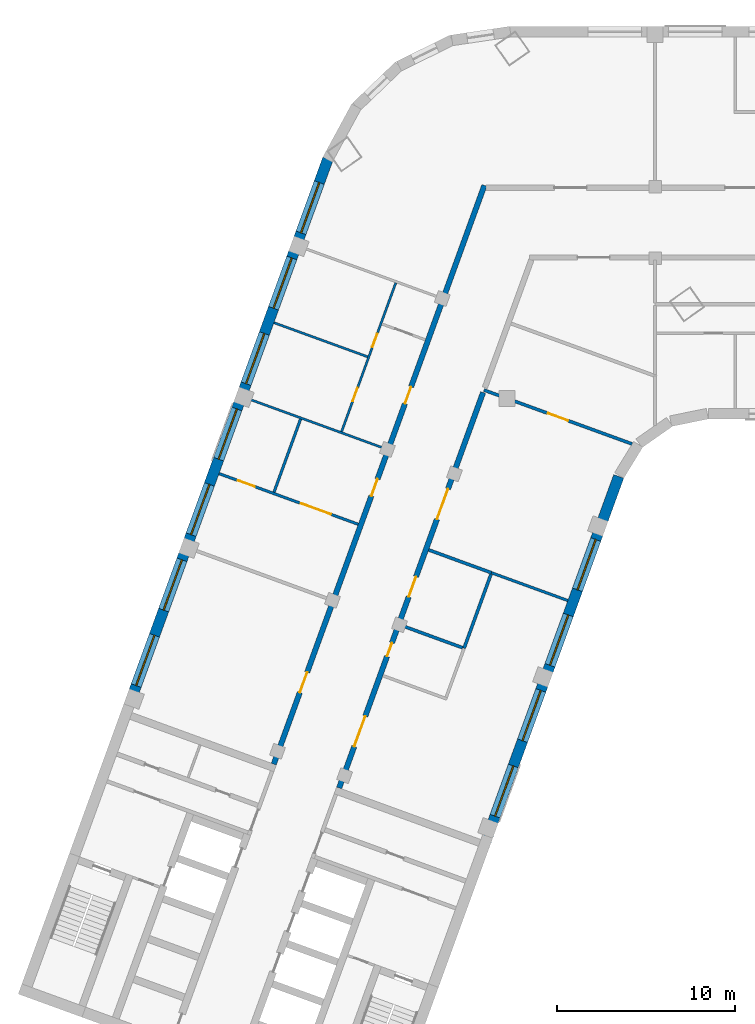
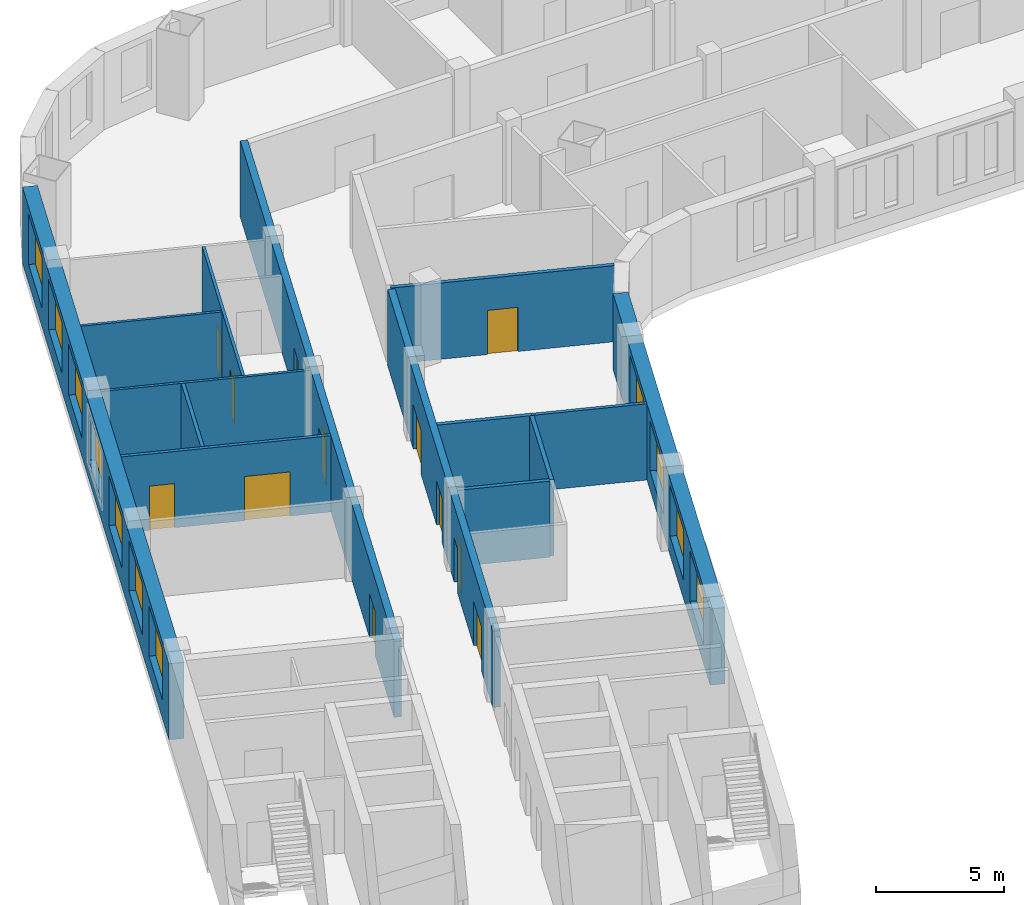
# One storey, part 3 of 12: 14 walls, 12 doors, 11 windows, 23 openings.
"""IFC4 building model written with IfcOpenShell, lengths in metres."""

from ifc_helpers import new_model, si_unit, direction, frame, frame_2d, origin, place, context, subcontext, project, spatial, rectangle, extrude, material, layer, layer_set, type_object, element, fill, save


model = new_model("IFC4")

# Units and contexts
model_context = context("Model", 3, precision=1e-05, world=origin(), true_north=direction((0.0, 1.0)))
body_context = subcontext(model_context, "Body", "Model", "MODEL_VIEW")
ifc_project = project(units=[si_unit("LENGTHUNIT", "METRE"), si_unit("AREAUNIT", "SQUARE_METRE"), si_unit("VOLUMEUNIT", "CUBIC_METRE"), si_unit("PLANEANGLEUNIT", "RADIAN"), si_unit("MASSUNIT", "GRAM", prefix="KILO")], contexts=[model_context])

# Site, building, storey
site_placement = place(None, origin())
site = spatial("IfcSite", under=ifc_project, at=site_placement, CompositionType="ELEMENT")
building_placement = place(site_placement, origin())
building = spatial("IfcBuilding", under=site, at=building_placement, Name="Skarvind Civic Tower", CompositionType="ELEMENT")
storey_placement = place(building_placement, frame((0.0, 0.0, 39.5)))
storey = spatial("IfcBuildingStorey", under=building, at=storey_placement, Name="L08", CompositionType="ELEMENT", Elevation=39.5)

# Walls
ifc_material_1 = material(Name="Acoustic gypsum board on steel studs", Category="steel")
ifc_layer_1 = layer(ifc_material_1, 0.175048828125)
ifc_layer_set_1 = layer_set([ifc_layer_1], Name="ACOUSTIC MEETING-ROOM PARTITION 175")
wall_type_1 = type_object("IfcWallType", Name="ACOUSTIC MEETING-ROOM PARTITION 175", PredefinedType="PARTITIONING", material=ifc_layer_set_1)
wall_1_placement = place(storey_placement, frame((41.56103515625, 109.6630859375, 0.0), z_axis=(0.0, 0.0, 1.0), x_axis=(0.939610777088, -0.34224492338, 0.0)))
element("IfcWall", 1, at=wall_1_placement, inside=storey, type_object=wall_type_1, Name="Partition 08.011", PredefinedType="PARTITIONING", context=body_context, shape_type="SweptSolid", body=[
    extrude(rectangle(XDim=3.749267578125, YDim=0.175048828125, at=frame_2d((1.87451171875, 0.0))), origin(), (0.0, 0.0, 1.0), 3.625),
])
wall_2_placement = place(storey_placement, frame((43.462890625, 104.180908203125, 0.0), z_axis=(0.0, 0.0, 1.0), x_axis=(-0.939655178262, 0.342122998299, 0.0)))
element("IfcWall", 2, at=wall_2_placement, inside=storey, type_object=wall_type_1, Name="Partition 08.014", PredefinedType="PARTITIONING", context=body_context, shape_type="SweptSolid", body=[
    extrude(rectangle(XDim=3.662841796875, YDim=0.175048828125, at=frame_2d((1.83154296875, 0.0))), origin(), (0.0, 0.0, 1.0), 3.625),
])

# Wall, opening, door
wall_3_placement = place(storey_placement, frame((52.965087890625, 115.597900390625, 0.0), z_axis=(0.0, 0.0, 1.0), x_axis=(-0.939650555598, 0.342135694374, 0.0)))
wall_3 = element("IfcWall", 3, at=wall_3_placement, inside=storey, type_object=wall_type_1, Name="Partition 08.017", PredefinedType="PARTITIONING", context=body_context, shape_type="SweptSolid", body=[
    extrude(rectangle(XDim=8.836181640625, YDim=0.175048828125, at=frame_2d((4.41796875, 0.0))), origin(), (0.0, 0.0, 1.0), 3.625),
])
opening_1_placement = place(wall_3_placement, frame((3.817626953125, 0.0, 0.0)))
opening_1 = element("IfcOpeningElement", 4, at=opening_1_placement, cuts=wall_3, Name="Opening L08-D026", PredefinedType="OPENING", context=body_context, shape_type="SweptSolid", body=[
    extrude(rectangle(XDim=1.199951171875, YDim=2.10009765625, at=frame_2d((0.60009765625, 1.050048828125))), frame((0.0, 0.097412109375, 0.0), z_axis=(0.0, -1.0, 0.0), x_axis=(1.0, 0.0, 0.0)), (0.0, 0.0, 1.0), 0.195068359375),
])
ifc_material_2 = material(Name="Timber door leaf", Category="wood")
door_type_1 = type_object("IfcDoorType", Name="DOOR 1200X2100 DOUBLE TIMBER", OperationType="NOTDEFINED", PredefinedType="DOOR", material=ifc_material_2)
door_1_placement = place(opening_1_placement, origin())
door_1 = element("IfcDoor", 5, at=door_1_placement, inside=storey, type_object=door_type_1, Name="Door L08-D026", OperationType="DOUBLE_DOOR_SINGLE_SWING", OverallHeight=2.10009765625, OverallWidth=1.199951171875, PredefinedType="DOOR", context=body_context, shape_type="SweptSolid", body=[
    extrude(rectangle(XDim=1.199951171875, YDim=2.10009765625, at=frame_2d((0.60009765625, 1.050048828125))), frame((0.0, 0.02490234375, 0.0), z_axis=(0.0, -1.0, 0.0), x_axis=(1.0, 0.0, 0.0)), (0.0, 0.0, 1.0), 0.050048828125),
])
fill(opening_1, door_1)

# Wall
wall_4_placement = place(storey_placement, frame((45.053955078125, 108.298095703125, 0.0), z_axis=(0.0, 0.0, 1.0), x_axis=(-0.34193405199, -0.939723951004, 0.0)))
element("IfcWall", 6, at=wall_4_placement, inside=storey, type_object=wall_type_1, Name="Partition 08.019", PredefinedType="PARTITIONING", context=body_context, shape_type="SweptSolid", body=[
    extrude(rectangle(XDim=4.413330078125, YDim=0.175048828125, at=frame_2d((2.20654296875, 0.0))), origin(), (0.0, 0.0, 1.0), 3.625),
])

# Wall, openings, doors
ifc_material_3 = material(Name="Fire-rated gypsum board on steel studs", Category="steel")
ifc_layer_2 = layer(ifc_material_3, 0.300048828125)
ifc_layer_set_2 = layer_set([ifc_layer_2], Name="CORRIDOR WALL 300")
wall_type_2 = type_object("IfcWallType", Name="CORRIDOR WALL 300", PredefinedType="PARTITIONING", material=ifc_layer_set_2)
wall_5_placement = place(storey_placement, frame((32.881103515625, 97.656982421875, 0.0), z_axis=(0.0, 0.0, 1.0), x_axis=(0.342017360004, 0.939693633828, 0.0)))
wall_5 = element("IfcWall", 7, at=wall_5_placement, inside=storey, type_object=wall_type_2, Name="Partition 08.004", PredefinedType="PARTITIONING", context=body_context, shape_type="SweptSolid", body=[
    extrude(rectangle(XDim=34.515625, YDim=0.300048828125, at=frame_2d((17.2578125, 0.0))), origin(), (0.0, 0.0, 1.0), 3.625),
])
opening_2_placement = place(wall_5_placement, frame((4.27490234375, 0.0, 0.0)))
opening_2 = element("IfcOpeningElement", 8, at=opening_2_placement, cuts=wall_5, Name="Opening L08-D011", PredefinedType="OPENING", context=body_context, shape_type="SweptSolid", body=[
    extrude(rectangle(XDim=1.199951171875, YDim=2.10009765625, at=frame_2d((0.60009765625, 1.050048828125))), frame((0.0, 0.159912109375, 0.0), z_axis=(0.0, -1.0, 0.0), x_axis=(1.0, 0.0, 0.0)), (0.0, 0.0, 1.0), 0.320068359375),
])
opening_3_placement = place(wall_5_placement, frame((16.0, 0.0, 0.0)))
opening_3 = element("IfcOpeningElement", 9, at=opening_3_placement, cuts=wall_5, Name="Opening L08-D012", PredefinedType="OPENING", context=body_context, shape_type="SweptSolid", body=[
    extrude(rectangle(XDim=1.0, YDim=2.10009765625, at=frame_2d((0.5, 1.050048828125))), frame((0.0, 0.159912109375, 0.0), z_axis=(0.0, -1.0, 0.0), x_axis=(1.0, 0.0, 0.0)), (0.0, 0.0, 1.0), 0.320068359375),
])
opening_4_placement = place(wall_5_placement, frame((21.499755859375, 0.0, 0.0)))
opening_4 = element("IfcOpeningElement", 10, at=opening_4_placement, cuts=wall_5, Name="Opening L08-D015", PredefinedType="OPENING", context=body_context, shape_type="SweptSolid", body=[
    extrude(rectangle(XDim=1.0, YDim=2.10009765625, at=frame_2d((0.5, 1.050048828125))), frame((0.0, 0.159912109375, 0.0), z_axis=(0.0, -1.0, 0.0), x_axis=(1.0, 0.0, 0.0)), (0.0, 0.0, 1.0), 0.320068359375),
])
ifc_material_4 = material(Name="Fire-rated timber door leaf", Category="wood")
door_type_2 = type_object("IfcDoorType", Name="FD1 1000x2100", OperationType="NOTDEFINED", PredefinedType="DOOR", material=ifc_material_4)
door_2_placement = place(opening_3_placement, origin())
door_2 = element("IfcDoor", 11, at=door_2_placement, inside=storey, type_object=door_type_2, Name="Door L08-D012", OperationType="SINGLE_SWING_LEFT", OverallHeight=2.10009765625, OverallWidth=1.0, PredefinedType="DOOR", context=body_context, shape_type="SweptSolid", body=[
    extrude(rectangle(XDim=1.0, YDim=2.10009765625, at=frame_2d((0.5, 1.050048828125))), frame((0.0, 0.02490234375, 0.0), z_axis=(0.0, -1.0, 0.0), x_axis=(1.0, 0.0, 0.0)), (0.0, 0.0, 1.0), 0.050048828125),
])
fill(opening_3, door_2)
door_3_placement = place(opening_4_placement, origin())
door_3 = element("IfcDoor", 12, at=door_3_placement, inside=storey, type_object=door_type_2, Name="Door L08-D015", OperationType="SINGLE_SWING_LEFT", OverallHeight=2.10009765625, OverallWidth=1.0, PredefinedType="DOOR", context=body_context, shape_type="SweptSolid", body=[
    extrude(rectangle(XDim=1.0, YDim=2.10009765625, at=frame_2d((0.5, 1.050048828125))), frame((0.0, 0.02490234375, 0.0), z_axis=(0.0, -1.0, 0.0), x_axis=(1.0, 0.0, 0.0)), (0.0, 0.0, 1.0), 0.050048828125),
])
fill(opening_4, door_3)
door_type_3 = type_object("IfcDoorType", Name="FD6 1200x2100 DOUBLE", OperationType="NOTDEFINED", PredefinedType="DOOR", material=ifc_material_4)
door_4_placement = place(opening_2_placement, origin())
door_4 = element("IfcDoor", 13, at=door_4_placement, inside=storey, type_object=door_type_3, Name="Door L08-D011", OperationType="DOUBLE_DOOR_SINGLE_SWING", OverallHeight=2.10009765625, OverallWidth=1.199951171875, PredefinedType="DOOR", context=body_context, shape_type="SweptSolid", body=[
    extrude(rectangle(XDim=1.199951171875, YDim=2.10009765625, at=frame_2d((0.60009765625, 1.050048828125))), frame((0.0, 0.02490234375, 0.0), z_axis=(0.0, -1.0, 0.0), x_axis=(1.0, 0.0, 0.0)), (0.0, 0.0, 1.0), 0.050048828125),
])
fill(opening_2, door_4)

wall_6_placement = place(storey_placement, frame((44.612060546875, 118.48291015625, 0.0), z_axis=(0.0, 0.0, 1.0), x_axis=(-0.342043123066, -0.939684256526, 0.0)))
wall_6 = element("IfcWall", 14, at=wall_6_placement, inside=storey, type_object=wall_type_2, Name="Partition 08.018", PredefinedType="PARTITIONING", context=body_context, shape_type="SweptSolid", body=[
    extrude(rectangle(XDim=23.582275390625, YDim=0.300048828125, at=frame_2d((11.791015625, 0.0))), origin(), (0.0, 0.0, 1.0), 3.625),
])
opening_5_placement = place(wall_6_placement, frame((14.932373046875, 0.0, 0.0)))
opening_5 = element("IfcOpeningElement", 15, at=opening_5_placement, cuts=wall_6, Name="Opening L08-D019", PredefinedType="OPENING", context=body_context, shape_type="SweptSolid", body=[
    extrude(rectangle(XDim=0.800048828125, YDim=2.10009765625, at=frame_2d((0.39990234375, 1.050048828125))), frame((0.0, 0.159912109375, 0.0), z_axis=(0.0, -1.0, 0.0), x_axis=(1.0, 0.0, 0.0)), (0.0, 0.0, 1.0), 0.320068359375),
])
opening_6_placement = place(wall_6_placement, frame((10.982177734375, 0.0, 0.0)))
opening_6 = element("IfcOpeningElement", 16, at=opening_6_placement, cuts=wall_6, Name="Opening L08-D020", PredefinedType="OPENING", context=body_context, shape_type="SweptSolid", body=[
    extrude(rectangle(XDim=1.199951171875, YDim=2.10009765625, at=frame_2d((0.60009765625, 1.050048828125))), frame((0.0, 0.159912109375, 0.0), z_axis=(0.0, -1.0, 0.0), x_axis=(1.0, 0.0, 0.0)), (0.0, 0.0, 1.0), 0.320068359375),
])
opening_7_placement = place(wall_6_placement, frame((19.307373046875, 0.0, 0.0)))
opening_7 = element("IfcOpeningElement", 17, at=opening_7_placement, cuts=wall_6, Name="Opening L08-D021", PredefinedType="OPENING", context=body_context, shape_type="SweptSolid", body=[
    extrude(rectangle(XDim=1.800048828125, YDim=2.10009765625, at=frame_2d((0.89990234375, 1.050048828125))), frame((0.0, 0.159912109375, 0.0), z_axis=(0.0, -1.0, 0.0), x_axis=(1.0, 0.0, 0.0)), (0.0, 0.0, 1.0), 0.320068359375),
])
opening_8_placement = place(wall_6_placement, frame((5.755859375, 0.0, 0.0)))
opening_8 = element("IfcOpeningElement", 18, at=opening_8_placement, cuts=wall_6, Name="Opening L08-D022", PredefinedType="OPENING", context=body_context, shape_type="SweptSolid", body=[
    extrude(rectangle(XDim=1.800048828125, YDim=2.10009765625, at=frame_2d((0.89990234375, 1.050048828125))), frame((0.0, 0.159912109375, 0.0), z_axis=(0.0, -1.0, 0.0), x_axis=(1.0, 0.0, 0.0)), (0.0, 0.0, 1.0), 0.320068359375),
])
door_type_4 = type_object("IfcDoorType", Name="FD4 1800x2100", OperationType="NOTDEFINED", PredefinedType="DOOR", material=ifc_material_4)
door_5_placement = place(opening_7_placement, origin())
door_5 = element("IfcDoor", 19, at=door_5_placement, inside=storey, type_object=door_type_4, Name="Door L08-D021", OperationType="DOUBLE_DOOR_SINGLE_SWING", OverallHeight=2.10009765625, OverallWidth=1.800048828125, PredefinedType="DOOR", context=body_context, shape_type="SweptSolid", body=[
    extrude(rectangle(XDim=1.800048828125, YDim=2.10009765625, at=frame_2d((0.89990234375, 1.050048828125))), frame((0.0, 0.02490234375, 0.0), z_axis=(0.0, -1.0, 0.0), x_axis=(1.0, 0.0, 0.0)), (0.0, 0.0, 1.0), 0.050048828125),
])
fill(opening_7, door_5)
door_6_placement = place(opening_8_placement, origin())
door_6 = element("IfcDoor", 20, at=door_6_placement, inside=storey, type_object=door_type_4, Name="Door L08-D022", OperationType="DOUBLE_DOOR_SINGLE_SWING", OverallHeight=2.10009765625, OverallWidth=1.800048828125, PredefinedType="DOOR", context=body_context, shape_type="SweptSolid", body=[
    extrude(rectangle(XDim=1.800048828125, YDim=2.10009765625, at=frame_2d((0.89990234375, 1.050048828125))), frame((0.0, 0.02490234375, 0.0), z_axis=(0.0, -1.0, 0.0), x_axis=(1.0, 0.0, 0.0)), (0.0, 0.0, 1.0), 0.050048828125),
])
fill(opening_8, door_6)
door_type_5 = type_object("IfcDoorType", Name="FD5 800x2100", OperationType="NOTDEFINED", PredefinedType="DOOR", material=ifc_material_4)
door_7_placement = place(opening_5_placement, origin())
door_7 = element("IfcDoor", 21, at=door_7_placement, inside=storey, type_object=door_type_5, Name="Door L08-D019", OperationType="SINGLE_SWING_LEFT", OverallHeight=2.10009765625, OverallWidth=0.800048828125, PredefinedType="DOOR", context=body_context, shape_type="SweptSolid", body=[
    extrude(rectangle(XDim=0.800048828125, YDim=2.10009765625, at=frame_2d((0.39990234375, 1.050048828125))), frame((0.0, 0.02490234375, 0.0), z_axis=(0.0, -1.0, 0.0), x_axis=(1.0, 0.0, 0.0)), (0.0, 0.0, 1.0), 0.050048828125),
])
fill(opening_5, door_7)
door_8_placement = place(opening_6_placement, origin())
door_8 = element("IfcDoor", 22, at=door_8_placement, inside=storey, type_object=door_type_3, Name="Door L08-D020", OperationType="DOUBLE_DOOR_SINGLE_SWING", OverallHeight=2.10009765625, OverallWidth=1.199951171875, PredefinedType="DOOR", context=body_context, shape_type="SweptSolid", body=[
    extrude(rectangle(XDim=1.199951171875, YDim=2.10009765625, at=frame_2d((0.60009765625, 1.050048828125))), frame((0.0, 0.02490234375, 0.0), z_axis=(0.0, -1.0, 0.0), x_axis=(1.0, 0.0, 0.0)), (0.0, 0.0, 1.0), 0.050048828125),
])
fill(opening_6, door_8)

ifc_material_5 = material(Name="Plasterboard partition on steel studs", Category="steel")
ifc_layer_3 = layer(ifc_material_5, 0.14990234375)
ifc_layer_set_3 = layer_set([ifc_layer_3], Name="PARTITION 150")
wall_type_3 = type_object("IfcWallType", Name="PARTITION 150", PredefinedType="PARTITIONING", material=ifc_layer_set_3)
wall_7_placement = place(storey_placement, frame((29.81396484375, 113.93798828125, 0.0), z_axis=(0.0, 0.0, 1.0), x_axis=(0.939697205528, -0.342007546586, 0.0)))
wall_7 = element("IfcWall", 23, at=wall_7_placement, inside=storey, type_object=wall_type_3, Name="Partition 08.002", PredefinedType="PARTITIONING", context=body_context, shape_type="SweptSolid", body=[
    extrude(rectangle(XDim=8.300537109375, YDim=0.14990234375, at=frame_2d((4.150390625, 0.0))), origin(), (0.0, 0.0, 1.0), 3.625),
])
opening_9_placement = place(wall_7_placement, frame((1.125, 0.0, 0.0)))
opening_9 = element("IfcOpeningElement", 24, at=opening_9_placement, cuts=wall_7, Name="Opening L08-D013", PredefinedType="OPENING", context=body_context, shape_type="SweptSolid", body=[
    extrude(rectangle(XDim=1.0, YDim=2.10009765625, at=frame_2d((0.5, 1.050048828125))), frame((0.0, 0.0849609375, 0.0), z_axis=(0.0, -1.0, 0.0), x_axis=(1.0, 0.0, 0.0)), (0.0, 0.0, 1.0), 0.169921875),
])
opening_10_placement = place(wall_7_placement, frame((4.884033203125, 0.0, 0.0)))
opening_10 = element("IfcOpeningElement", 25, at=opening_10_placement, cuts=wall_7, Name="Opening L08-D014", PredefinedType="OPENING", context=body_context, shape_type="SweptSolid", body=[
    extrude(rectangle(XDim=1.800048828125, YDim=2.10009765625, at=frame_2d((0.89990234375, 1.050048828125))), frame((0.0, 0.0849609375, 0.0), z_axis=(0.0, -1.0, 0.0), x_axis=(1.0, 0.0, 0.0)), (0.0, 0.0, 1.0), 0.169921875),
])
door_type_6 = type_object("IfcDoorType", Name="D1 1000x2100", OperationType="NOTDEFINED", PredefinedType="DOOR", material=ifc_material_2)
door_9_placement = place(opening_9_placement, origin())
door_9 = element("IfcDoor", 26, at=door_9_placement, inside=storey, type_object=door_type_6, Name="Door L08-D013", OperationType="SINGLE_SWING_RIGHT", OverallHeight=2.10009765625, OverallWidth=1.0, PredefinedType="DOOR", context=body_context, shape_type="SweptSolid", body=[
    extrude(rectangle(XDim=1.0, YDim=2.10009765625, at=frame_2d((0.5, 1.050048828125))), frame((0.0, 0.02490234375, 0.0), z_axis=(0.0, -1.0, 0.0), x_axis=(1.0, 0.0, 0.0)), (0.0, 0.0, 1.0), 0.050048828125),
])
fill(opening_9, door_9)
door_type_7 = type_object("IfcDoorType", Name="D4 1800x2100", OperationType="NOTDEFINED", PredefinedType="DOOR", material=ifc_material_2)
door_10_placement = place(opening_10_placement, origin())
door_10 = element("IfcDoor", 27, at=door_10_placement, inside=storey, type_object=door_type_7, Name="Door L08-D014", OperationType="DOUBLE_DOOR_SINGLE_SWING", OverallHeight=2.10009765625, OverallWidth=1.800048828125, PredefinedType="DOOR", context=body_context, shape_type="SweptSolid", body=[
    extrude(rectangle(XDim=1.800048828125, YDim=2.10009765625, at=frame_2d((0.89990234375, 1.050048828125))), frame((0.0, 0.02490234375, 0.0), z_axis=(0.0, -1.0, 0.0), x_axis=(1.0, 0.0, 0.0)), (0.0, 0.0, 1.0), 0.050048828125),
])
fill(opening_10, door_10)

# Walls
wall_8_placement = place(storey_placement, frame((34.385986328125, 116.99609375, 0.0), z_axis=(0.0, 0.0, 1.0), x_axis=(-0.341945230853, -0.939719883315, 0.0)))
element("IfcWall", 28, at=wall_8_placement, inside=storey, type_object=wall_type_3, Name="Partition 08.005", PredefinedType="PARTITIONING", context=body_context, shape_type="SweptSolid", body=[
    extrude(rectangle(XDim=4.363037109375, YDim=0.14990234375, at=frame_2d((2.181640625, 0.0))), origin(), (0.0, 0.0, 1.0), 3.625),
])
wall_9_placement = place(storey_placement, frame((45.083984375, 108.3798828125, 0.0), z_axis=(0.0, 0.0, 1.0), x_axis=(0.93972604571, -0.341928295136, 0.0)))
element("IfcWall", 29, at=wall_9_placement, inside=storey, type_object=wall_type_3, Name="Partition 08.020", PredefinedType="PARTITIONING", context=body_context, shape_type="SweptSolid", body=[
    extrude(rectangle(XDim=4.55029296875, YDim=0.14990234375, at=frame_2d((2.275146484375, 0.0))), origin(), (0.0, 0.0, 1.0), 3.625),
])
ifc_material_6 = material(Name="Moisture-resistant gypsum board on steel studs", Category="steel")
ifc_layer_4 = layer(ifc_material_6, 0.125)
ifc_layer_set_4 = layer_set([ifc_layer_4], Name="WC PARTITION 125")
wall_type_4 = type_object("IfcWallType", Name="WC PARTITION 125", PredefinedType="PARTITIONING", material=ifc_layer_set_4)
wall_10_placement = place(storey_placement, frame((31.35302734375, 118.166015625, 0.0), z_axis=(0.0, 0.0, 1.0), x_axis=(0.939687752599, -0.342033518263, 0.0)))
element("IfcWall", 30, at=wall_10_placement, inside=storey, type_object=wall_type_4, Name="Partition 08.003", PredefinedType="PARTITIONING", context=body_context, shape_type="SweptSolid", body=[
    extrude(rectangle(XDim=8.30078125, YDim=0.125, at=frame_2d((4.150390625, 0.0))), origin(), (0.0, 0.0, 1.0), 3.625),
])

# Wall, openings, doors
wall_11_placement = place(storey_placement, frame((36.68408203125, 116.29296875, 0.0), z_axis=(0.0, 0.0, 1.0), x_axis=(0.342089829483, 0.939667254173, 0.0)))
wall_11 = element("IfcWall", 31, at=wall_11_placement, inside=storey, type_object=wall_type_4, Name="Partition 08.008", PredefinedType="PARTITIONING", context=body_context, shape_type="SweptSolid", body=[
    extrude(rectangle(XDim=8.87451171875, YDim=0.125, at=frame_2d((4.437255859375, 0.0))), origin(), (0.0, 0.0, 1.0), 3.625),
])
opening_11_placement = place(wall_11_placement, frame((1.808837890625, 0.0, 0.0)))
opening_11 = element("IfcOpeningElement", 32, at=opening_11_placement, cuts=wall_11, Name="Opening L08-D017", PredefinedType="OPENING", context=body_context, shape_type="SweptSolid", body=[
    extrude(rectangle(XDim=0.800048828125, YDim=2.10009765625, at=frame_2d((0.39990234375, 1.050048828125))), frame((0.0, 0.072509765625, 0.0), z_axis=(0.0, -1.0, 0.0), x_axis=(1.0, 0.0, 0.0)), (0.0, 0.0, 1.0), 0.14501953125),
])
opening_12_placement = place(wall_11_placement, frame((5.0390625, 0.0, 0.0)))
opening_12 = element("IfcOpeningElement", 33, at=opening_12_placement, cuts=wall_11, Name="Opening L08-D018", PredefinedType="OPENING", context=body_context, shape_type="SweptSolid", body=[
    extrude(rectangle(XDim=0.800048828125, YDim=2.10009765625, at=frame_2d((0.39990234375, 1.050048828125))), frame((0.0, 0.072509765625, 0.0), z_axis=(0.0, -1.0, 0.0), x_axis=(1.0, 0.0, 0.0)), (0.0, 0.0, 1.0), 0.14501953125),
])
door_type_8 = type_object("IfcDoorType", Name="DOOR 800X2100 TIMBER", OperationType="NOTDEFINED", PredefinedType="DOOR", material=ifc_material_2)
door_11_placement = place(opening_11_placement, origin())
door_11 = element("IfcDoor", 34, at=door_11_placement, inside=storey, type_object=door_type_8, Name="Door L08-D017", OperationType="SINGLE_SWING_RIGHT", OverallHeight=2.10009765625, OverallWidth=0.800048828125, PredefinedType="DOOR", context=body_context, shape_type="SweptSolid", body=[
    extrude(rectangle(XDim=0.800048828125, YDim=2.10009765625, at=frame_2d((0.39990234375, 1.050048828125))), frame((0.0, 0.02490234375, 0.0), z_axis=(0.0, -1.0, 0.0), x_axis=(1.0, 0.0, 0.0)), (0.0, 0.0, 1.0), 0.050048828125),
])
fill(opening_11, door_11)
door_12_placement = place(opening_12_placement, origin())
door_12 = element("IfcDoor", 35, at=door_12_placement, inside=storey, type_object=door_type_8, Name="Door L08-D018", OperationType="SINGLE_SWING_LEFT", OverallHeight=2.10009765625, OverallWidth=0.800048828125, PredefinedType="DOOR", context=body_context, shape_type="SweptSolid", body=[
    extrude(rectangle(XDim=0.800048828125, YDim=2.10009765625, at=frame_2d((0.39990234375, 1.050048828125))), frame((0.0, 0.02490234375, 0.0), z_axis=(0.0, -1.0, 0.0), x_axis=(1.0, 0.0, 0.0)), (0.0, 0.0, 1.0), 0.050048828125),
])
fill(opening_12, door_12)

# Wall
wall_12_placement = place(storey_placement, frame((38.14306640625, 120.48388671875, 0.0), z_axis=(0.0, 0.0, 1.0), x_axis=(-0.939696437289, 0.342009657388, 0.0)))
element("IfcWall", 36, at=wall_12_placement, inside=storey, type_object=wall_type_4, Name="Partition 08.009", PredefinedType="PARTITIONING", context=body_context, shape_type="SweptSolid", body=[
    extrude(rectangle(XDim=5.587890625, YDim=0.125, at=frame_2d((2.7939453125, 0.0))), origin(), (0.0, 0.0, 1.0), 3.625),
])

# Wall, openings, windows
ifc_material_7 = material(Name="Limestone masonry cladding on insulated backing", Category="masonry")
ifc_layer_5 = layer(ifc_material_7, 0.60009765625)
ifc_layer_set_5 = layer_set([ifc_layer_5], Name="WX1 STONE FACADE WALL 600")
wall_type_5 = type_object("IfcWallType", Name="WX1 STONE FACADE WALL 600", PredefinedType="SOLIDWALL", material=ifc_layer_set_5)
wall_13_placement = place(storey_placement, frame((52.212158203125, 113.78271484375, 0.0), z_axis=(0.0, 0.0, 1.0), x_axis=(-0.34202521188, -0.939690775968, 0.0)))
wall_13 = element("IfcWall", 37, at=wall_13_placement, inside=storey, type_object=wall_type_5, Name="STONE FACADE WALL", PredefinedType="SOLIDWALL", context=body_context, shape_type="SweptSolid", body=[
    extrude(rectangle(XDim=21.744873046875, YDim=0.60009765625, at=frame_2d((10.87255859375, 0.0))), origin(), (0.0, 0.0, 1.0), 3.625),
])
opening_13_placement = place(wall_13_placement, frame((3.764892578125, 0.0, 0.89990234375)))
opening_13 = element("IfcOpeningElement", 38, at=opening_13_placement, cuts=wall_13, Name="Opening WN1", PredefinedType="OPENING", context=body_context, shape_type="SweptSolid", body=[
    extrude(rectangle(XDim=3.0, YDim=2.39990234375, at=frame_2d((1.5, 1.199951171875))), frame((0.0, 0.31005859375, 0.0), z_axis=(0.0, -1.0, 0.0), x_axis=(1.0, 0.0, 0.0)), (0.0, 0.0, 1.0), 0.6201171875),
])
opening_14_placement = place(wall_13_placement, frame((8.264892578125, 0.0, 0.89990234375)))
opening_14 = element("IfcOpeningElement", 39, at=opening_14_placement, cuts=wall_13, Name="Opening WN1", PredefinedType="OPENING", context=body_context, shape_type="SweptSolid", body=[
    extrude(rectangle(XDim=3.0, YDim=2.39990234375, at=frame_2d((1.5, 1.199951171875))), frame((0.0, 0.31005859375, 0.0), z_axis=(0.0, -1.0, 0.0), x_axis=(1.0, 0.0, 0.0)), (0.0, 0.0, 1.0), 0.6201171875),
])
opening_15_placement = place(wall_13_placement, frame((12.764892578125, 0.0, 0.89990234375)))
opening_15 = element("IfcOpeningElement", 40, at=opening_15_placement, cuts=wall_13, Name="Opening WN1", PredefinedType="OPENING", context=body_context, shape_type="SweptSolid", body=[
    extrude(rectangle(XDim=3.0, YDim=2.39990234375, at=frame_2d((1.5, 1.199951171875))), frame((0.0, 0.31005859375, 0.0), z_axis=(0.0, -1.0, 0.0), x_axis=(1.0, 0.0, 0.0)), (0.0, 0.0, 1.0), 0.6201171875),
])
opening_16_placement = place(wall_13_placement, frame((17.264892578125, 0.0, 0.89990234375)))
opening_16 = element("IfcOpeningElement", 41, at=opening_16_placement, cuts=wall_13, Name="Opening WN1", PredefinedType="OPENING", context=body_context, shape_type="SweptSolid", body=[
    extrude(rectangle(XDim=3.0, YDim=2.39990234375, at=frame_2d((1.5, 1.199951171875))), frame((0.0, 0.31005859375, 0.0), z_axis=(0.0, -1.0, 0.0), x_axis=(1.0, 0.0, 0.0)), (0.0, 0.0, 1.0), 0.6201171875),
])
ifc_material_8 = material(Name="Timber frame, double glazing, timber-lined reveal", Category="wood")
window_type = type_object("IfcWindowType", Name="WN1 PUNCHED STONE WINDOW 3000 x 2400", PartitioningType="SINGLE_PANEL", PredefinedType="WINDOW", material=ifc_material_8)
window_1_placement = place(opening_13_placement, origin())
window_1 = element("IfcWindow", 42, at=window_1_placement, inside=storey, type_object=window_type, Name="WN1 WINDOW", OverallHeight=2.39990234375, OverallWidth=3.0, PartitioningType="SINGLE_PANEL", PredefinedType="WINDOW", context=body_context, shape_type="SweptSolid", body=[
    extrude(rectangle(XDim=3.0, YDim=2.39990234375, at=frame_2d((1.5, 1.199951171875))), frame((0.0, 0.030029296875, 0.0), z_axis=(0.0, -1.0, 0.0), x_axis=(1.0, 0.0, 0.0)), (0.0, 0.0, 1.0), 0.06005859375),
])
fill(opening_13, window_1)
window_2_placement = place(opening_14_placement, origin())
window_2 = element("IfcWindow", 43, at=window_2_placement, inside=storey, type_object=window_type, Name="WN1 WINDOW", OverallHeight=2.39990234375, OverallWidth=3.0, PartitioningType="SINGLE_PANEL", PredefinedType="WINDOW", context=body_context, shape_type="SweptSolid", body=[
    extrude(rectangle(XDim=3.0, YDim=2.39990234375, at=frame_2d((1.5, 1.199951171875))), frame((0.0, 0.030029296875, 0.0), z_axis=(0.0, -1.0, 0.0), x_axis=(1.0, 0.0, 0.0)), (0.0, 0.0, 1.0), 0.06005859375),
])
fill(opening_14, window_2)
window_3_placement = place(opening_15_placement, origin())
window_3 = element("IfcWindow", 44, at=window_3_placement, inside=storey, type_object=window_type, Name="WN1 WINDOW", OverallHeight=2.39990234375, OverallWidth=3.0, PartitioningType="SINGLE_PANEL", PredefinedType="WINDOW", context=body_context, shape_type="SweptSolid", body=[
    extrude(rectangle(XDim=3.0, YDim=2.39990234375, at=frame_2d((1.5, 1.199951171875))), frame((0.0, 0.030029296875, 0.0), z_axis=(0.0, -1.0, 0.0), x_axis=(1.0, 0.0, 0.0)), (0.0, 0.0, 1.0), 0.06005859375),
])
fill(opening_15, window_3)
window_4_placement = place(opening_16_placement, origin())
window_4 = element("IfcWindow", 45, at=window_4_placement, inside=storey, type_object=window_type, Name="WN1 WINDOW", OverallHeight=2.39990234375, OverallWidth=3.0, PartitioningType="SINGLE_PANEL", PredefinedType="WINDOW", context=body_context, shape_type="SweptSolid", body=[
    extrude(rectangle(XDim=3.0, YDim=2.39990234375, at=frame_2d((1.5, 1.199951171875))), frame((0.0, 0.030029296875, 0.0), z_axis=(0.0, -1.0, 0.0), x_axis=(1.0, 0.0, 0.0)), (0.0, 0.0, 1.0), 0.06005859375),
])
fill(opening_16, window_4)

wall_14_placement = place(storey_placement, frame((24.66552734375, 100.668701171875, 0.0), z_axis=(0.0, 0.0, 1.0), x_axis=(0.34201964167, 0.939692803373, 0.0)))
wall_14 = element("IfcWall", 46, at=wall_14_placement, inside=storey, type_object=wall_type_5, Name="STONE FACADE WALL", PredefinedType="SOLIDWALL", context=body_context, shape_type="SweptSolid", body=[
    extrude(rectangle(XDim=32.88427734375, YDim=0.60009765625, at=frame_2d((16.442138671875, 0.0))), origin(), (0.0, 0.0, 1.0), 3.625),
])
opening_17_placement = place(wall_14_placement, frame((1.47998046875, 0.0, 0.89990234375)))
opening_17 = element("IfcOpeningElement", 47, at=opening_17_placement, cuts=wall_14, Name="Opening WN1", PredefinedType="OPENING", context=body_context, shape_type="SweptSolid", body=[
    extrude(rectangle(XDim=3.0, YDim=2.39990234375, at=frame_2d((1.5, 1.199951171875))), frame((0.0, 0.31005859375, 0.0), z_axis=(0.0, -1.0, 0.0), x_axis=(1.0, 0.0, 0.0)), (0.0, 0.0, 1.0), 0.6201171875),
])
opening_18_placement = place(wall_14_placement, frame((5.97998046875, 0.0, 0.89990234375)))
opening_18 = element("IfcOpeningElement", 48, at=opening_18_placement, cuts=wall_14, Name="Opening WN1", PredefinedType="OPENING", context=body_context, shape_type="SweptSolid", body=[
    extrude(rectangle(XDim=3.0, YDim=2.39990234375, at=frame_2d((1.5, 1.199951171875))), frame((0.0, 0.31005859375, 0.0), z_axis=(0.0, -1.0, 0.0), x_axis=(1.0, 0.0, 0.0)), (0.0, 0.0, 1.0), 0.6201171875),
])
opening_19_placement = place(wall_14_placement, frame((10.47998046875, 0.0, 0.89990234375)))
opening_19 = element("IfcOpeningElement", 49, at=opening_19_placement, cuts=wall_14, Name="Opening WN1", PredefinedType="OPENING", context=body_context, shape_type="SweptSolid", body=[
    extrude(rectangle(XDim=3.0, YDim=2.39990234375, at=frame_2d((1.5, 1.199951171875))), frame((0.0, 0.31005859375, 0.0), z_axis=(0.0, -1.0, 0.0), x_axis=(1.0, 0.0, 0.0)), (0.0, 0.0, 1.0), 0.6201171875),
])
opening_20_placement = place(wall_14_placement, frame((14.97998046875, 0.0, 0.89990234375)))
opening_20 = element("IfcOpeningElement", 50, at=opening_20_placement, cuts=wall_14, Name="Opening WN1", PredefinedType="OPENING", context=body_context, shape_type="SweptSolid", body=[
    extrude(rectangle(XDim=3.0, YDim=2.39990234375, at=frame_2d((1.5, 1.199951171875))), frame((0.0, 0.31005859375, 0.0), z_axis=(0.0, -1.0, 0.0), x_axis=(1.0, 0.0, 0.0)), (0.0, 0.0, 1.0), 0.6201171875),
])
opening_21_placement = place(wall_14_placement, frame((19.47998046875, 0.0, 0.89990234375)))
opening_21 = element("IfcOpeningElement", 51, at=opening_21_placement, cuts=wall_14, Name="Opening WN1", PredefinedType="OPENING", context=body_context, shape_type="SweptSolid", body=[
    extrude(rectangle(XDim=3.0, YDim=2.39990234375, at=frame_2d((1.5, 1.199951171875))), frame((0.0, 0.31005859375, 0.0), z_axis=(0.0, -1.0, 0.0), x_axis=(1.0, 0.0, 0.0)), (0.0, 0.0, 1.0), 0.6201171875),
])
opening_22_placement = place(wall_14_placement, frame((23.97998046875, 0.0, 0.89990234375)))
opening_22 = element("IfcOpeningElement", 52, at=opening_22_placement, cuts=wall_14, Name="Opening WN1", PredefinedType="OPENING", context=body_context, shape_type="SweptSolid", body=[
    extrude(rectangle(XDim=3.0, YDim=2.39990234375, at=frame_2d((1.5, 1.199951171875))), frame((0.0, 0.31005859375, 0.0), z_axis=(0.0, -1.0, 0.0), x_axis=(1.0, 0.0, 0.0)), (0.0, 0.0, 1.0), 0.6201171875),
])
opening_23_placement = place(wall_14_placement, frame((28.47998046875, 0.0, 0.89990234375)))
opening_23 = element("IfcOpeningElement", 53, at=opening_23_placement, cuts=wall_14, Name="Opening WN1", PredefinedType="OPENING", context=body_context, shape_type="SweptSolid", body=[
    extrude(rectangle(XDim=3.0, YDim=2.39990234375, at=frame_2d((1.5, 1.199951171875))), frame((0.0, 0.31005859375, 0.0), z_axis=(0.0, -1.0, 0.0), x_axis=(1.0, 0.0, 0.0)), (0.0, 0.0, 1.0), 0.6201171875),
])
window_5_placement = place(opening_17_placement, origin())
window_5 = element("IfcWindow", 54, at=window_5_placement, inside=storey, type_object=window_type, Name="WN1 WINDOW", OverallHeight=2.39990234375, OverallWidth=3.0, PartitioningType="SINGLE_PANEL", PredefinedType="WINDOW", context=body_context, shape_type="SweptSolid", body=[
    extrude(rectangle(XDim=3.0, YDim=2.39990234375, at=frame_2d((1.5, 1.199951171875))), frame((0.0, 0.030029296875, 0.0), z_axis=(0.0, -1.0, 0.0), x_axis=(1.0, 0.0, 0.0)), (0.0, 0.0, 1.0), 0.06005859375),
])
fill(opening_17, window_5)
window_6_placement = place(opening_18_placement, origin())
window_6 = element("IfcWindow", 55, at=window_6_placement, inside=storey, type_object=window_type, Name="WN1 WINDOW", OverallHeight=2.39990234375, OverallWidth=3.0, PartitioningType="SINGLE_PANEL", PredefinedType="WINDOW", context=body_context, shape_type="SweptSolid", body=[
    extrude(rectangle(XDim=3.0, YDim=2.39990234375, at=frame_2d((1.5, 1.199951171875))), frame((0.0, 0.030029296875, 0.0), z_axis=(0.0, -1.0, 0.0), x_axis=(1.0, 0.0, 0.0)), (0.0, 0.0, 1.0), 0.06005859375),
])
fill(opening_18, window_6)
window_7_placement = place(opening_19_placement, origin())
window_7 = element("IfcWindow", 56, at=window_7_placement, inside=storey, type_object=window_type, Name="WN1 WINDOW", OverallHeight=2.39990234375, OverallWidth=3.0, PartitioningType="SINGLE_PANEL", PredefinedType="WINDOW", context=body_context, shape_type="SweptSolid", body=[
    extrude(rectangle(XDim=3.0, YDim=2.39990234375, at=frame_2d((1.5, 1.199951171875))), frame((0.0, 0.030029296875, 0.0), z_axis=(0.0, -1.0, 0.0), x_axis=(1.0, 0.0, 0.0)), (0.0, 0.0, 1.0), 0.06005859375),
])
fill(opening_19, window_7)
window_8_placement = place(opening_20_placement, origin())
window_8 = element("IfcWindow", 57, at=window_8_placement, inside=storey, type_object=window_type, Name="WN1 WINDOW", OverallHeight=2.39990234375, OverallWidth=3.0, PartitioningType="SINGLE_PANEL", PredefinedType="WINDOW", context=body_context, shape_type="SweptSolid", body=[
    extrude(rectangle(XDim=3.0, YDim=2.39990234375, at=frame_2d((1.5, 1.199951171875))), frame((0.0, 0.030029296875, 0.0), z_axis=(0.0, -1.0, 0.0), x_axis=(1.0, 0.0, 0.0)), (0.0, 0.0, 1.0), 0.06005859375),
])
fill(opening_20, window_8)
window_9_placement = place(opening_21_placement, origin())
window_9 = element("IfcWindow", 58, at=window_9_placement, inside=storey, type_object=window_type, Name="WN1 WINDOW", OverallHeight=2.39990234375, OverallWidth=3.0, PartitioningType="SINGLE_PANEL", PredefinedType="WINDOW", context=body_context, shape_type="SweptSolid", body=[
    extrude(rectangle(XDim=3.0, YDim=2.39990234375, at=frame_2d((1.5, 1.199951171875))), frame((0.0, 0.030029296875, 0.0), z_axis=(0.0, -1.0, 0.0), x_axis=(1.0, 0.0, 0.0)), (0.0, 0.0, 1.0), 0.06005859375),
])
fill(opening_21, window_9)
window_10_placement = place(opening_22_placement, origin())
window_10 = element("IfcWindow", 59, at=window_10_placement, inside=storey, type_object=window_type, Name="WN1 WINDOW", OverallHeight=2.39990234375, OverallWidth=3.0, PartitioningType="SINGLE_PANEL", PredefinedType="WINDOW", context=body_context, shape_type="SweptSolid", body=[
    extrude(rectangle(XDim=3.0, YDim=2.39990234375, at=frame_2d((1.5, 1.199951171875))), frame((0.0, 0.030029296875, 0.0), z_axis=(0.0, -1.0, 0.0), x_axis=(1.0, 0.0, 0.0)), (0.0, 0.0, 1.0), 0.06005859375),
])
fill(opening_22, window_10)
window_11_placement = place(opening_23_placement, origin())
window_11 = element("IfcWindow", 60, at=window_11_placement, inside=storey, type_object=window_type, Name="WN1 WINDOW", OverallHeight=2.39990234375, OverallWidth=3.0, PartitioningType="SINGLE_PANEL", PredefinedType="WINDOW", context=body_context, shape_type="SweptSolid", body=[
    extrude(rectangle(XDim=3.0, YDim=2.39990234375, at=frame_2d((1.5, 1.199951171875))), frame((0.0, 0.030029296875, 0.0), z_axis=(0.0, -1.0, 0.0), x_axis=(1.0, 0.0, 0.0)), (0.0, 0.0, 1.0), 0.06005859375),
])
fill(opening_23, window_11)

save(model, "model.ifc")
